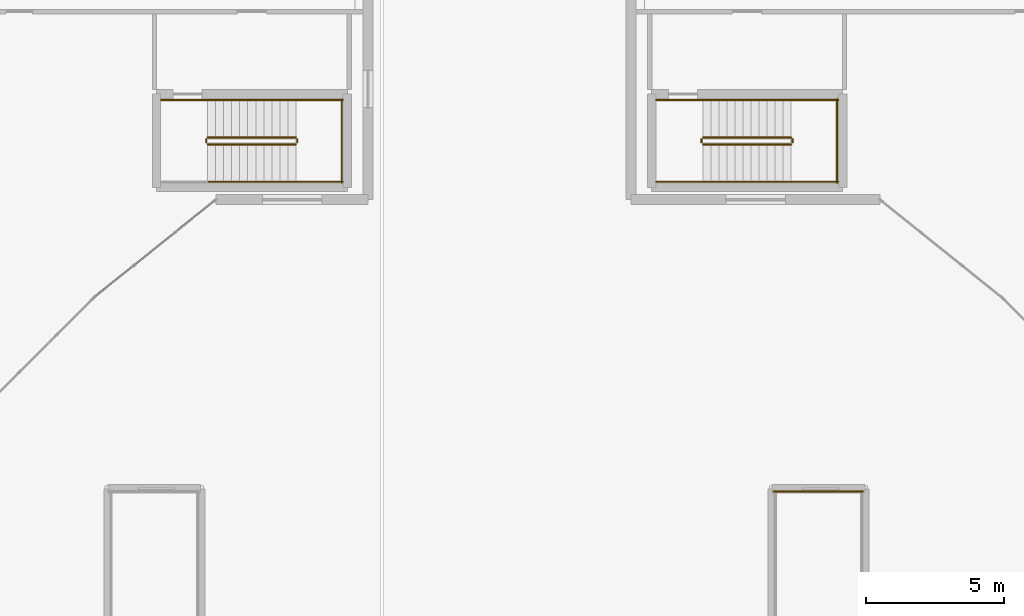
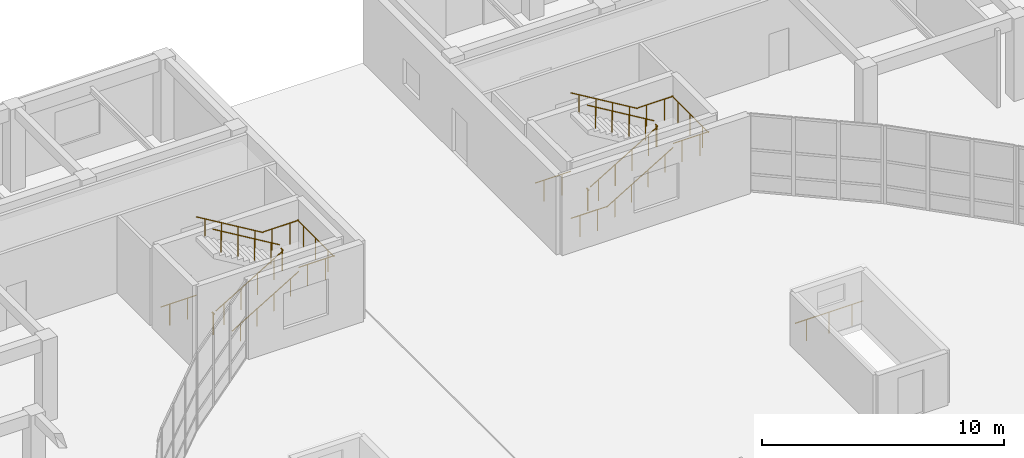
# One storey, part 111 of 114: 22 railings.
"""IFC4 building model written with IfcOpenShell, lengths in metres."""

from ifc_helpers import new_model, si_unit, direction, frame, origin, origin_2d, place, context, subcontext, project, spatial, circle, extrude, material, type_object, element, save


model = new_model("IFC4")

# Units and contexts
model_context = context("Model", 3, precision=1e-05, world=origin(), true_north=direction((0.0, 1.0)))
body_context = subcontext(model_context, "Body", "Model", "MODEL_VIEW")
ifc_project = project(units=[si_unit("LENGTHUNIT", "METRE"), si_unit("AREAUNIT", "SQUARE_METRE"), si_unit("VOLUMEUNIT", "CUBIC_METRE"), si_unit("PLANEANGLEUNIT", "RADIAN"), si_unit("MASSUNIT", "GRAM", prefix="KILO")], contexts=[model_context])

# Site, building, storey
site_placement = place(None, origin())
site = spatial("IfcSite", under=ifc_project, at=site_placement, CompositionType="ELEMENT")
building_placement = place(site_placement, origin())
building = spatial("IfcBuilding", under=site, at=building_placement, Name="Keldmere Railside Commons", CompositionType="ELEMENT")
storey_placement = place(building_placement, origin())
storey = spatial("IfcBuildingStorey", under=building, at=storey_placement, Name="L00", CompositionType="ELEMENT", Elevation=0.0)

# Railings
ifc_material = material(Name="Steel F-24 (S235)", Category="steel")
railing_type_1 = type_object("IfcRailingType", Name="Stair Well Steel Guardrail 1100", PredefinedType="BALUSTRADE", material=ifc_material)
railing_1_placement = place(storey_placement, frame((131.699951171875, 102.0, 0.17333984375)))
element("IfcRailing", 1, at=railing_1_placement, inside=storey, type_object=railing_type_1, Name="L00 ST-B2 stair guard 1", PredefinedType="BALUSTRADE", context=body_context, shape_type="SweptSolid", body=[
    extrude(circle(Radius=0.02392578125, at=origin_2d()), frame((0.0, 0.0, 1.076171875), z_axis=(0.858349611844, 0.0, 0.513065243265), x_axis=(0.0, 1.0, 0.0)), (0.0, 0.0, 1.0), 3.71630859375),
    extrude(circle(Radius=0.02099609375, at=origin_2d()), frame((0.398681640625, 0.0, 0.23828125)), (0.0, 0.0, 1.0), 1.048095703125),
    extrude(circle(Radius=0.02099609375, at=origin_2d()), frame((1.1962890625, 0.0, 0.715087890625)), (0.0, 0.0, 1.0), 1.048095703125),
    extrude(circle(Radius=0.02099609375, at=origin_2d()), frame((1.99365234375, 0.0, 1.191650390625)), (0.0, 0.0, 1.0), 1.048095703125),
    extrude(circle(Radius=0.02099609375, at=origin_2d()), frame((2.791259765625, 0.0, 1.66845703125)), (0.0, 0.0, 1.0), 1.048095703125),
])
railing_2_placement = place(storey_placement, frame((134.93994140625, 102.050048828125, 2.080078125)))
element("IfcRailing", 2, at=railing_2_placement, inside=storey, type_object=railing_type_1, Name="L00 ST-B2 stair guard 2", PredefinedType="BALUSTRADE", context=body_context, shape_type="SweptSolid", body=[
    extrude(circle(Radius=0.02392578125, at=origin_2d()), frame((0.0, 0.0, 1.076171875), z_axis=(0.0, 1.0, 0.0), x_axis=(-1.0, 0.0, 0.0)), (0.0, 0.0, 1.0), 0.14990234375),
    extrude(circle(Radius=0.02099609375, at=origin_2d()), frame((0.0, 0.074951171875, 0.0)), (0.0, 0.0, 1.0), 1.048095703125),
])
for number, where, name in (
    (3, (134.889892578125, 100.64990234375, 2.080078125), "L00 ST-B2 stair guard 3"),
    (4, (134.889892578125, 103.60009765625, 2.080078125), "L00 ST-B2 stair guard 4"),
):
    element("IfcRailing", number, at=place(storey_placement, frame(where)), inside=storey, type_object=railing_type_1, Name=name, PredefinedType="BALUSTRADE", context=body_context, shape_type="SweptSolid", body=[
        extrude(circle(Radius=0.02392578125, at=origin_2d()), frame((0.0, 0.0, 1.076171875), z_axis=(1.0, 0.0, 0.0), x_axis=(0.0, 1.0, 0.0)), (0.0, 0.0, 1.0), 1.710205078125),
        extrude(circle(Radius=0.02099609375, at=origin_2d()), frame((0.427490234375, 0.0, 0.0)), (0.0, 0.0, 1.0), 1.048095703125),
        extrude(circle(Radius=0.02099609375, at=origin_2d()), frame((1.28271484375, 0.0, 0.0)), (0.0, 0.0, 1.0), 1.048095703125),
    ])
railing_3_placement = place(storey_placement, frame((136.550048828125, 100.60009765625, 2.080078125)))
element("IfcRailing", 5, at=railing_3_placement, inside=storey, type_object=railing_type_1, Name="L00 ST-B2 stair guard 5", PredefinedType="BALUSTRADE", context=body_context, shape_type="SweptSolid", body=[
    extrude(circle(Radius=0.02392578125, at=origin_2d()), frame((0.0, 0.0, 1.076171875), z_axis=(0.0, 1.0, 0.0), x_axis=(-1.0, 0.0, 0.0)), (0.0, 0.0, 1.0), 3.0498046875),
    extrude(circle(Radius=0.02099609375, at=origin_2d()), frame((0.0, 0.50830078125, 0.0)), (0.0, 0.0, 1.0), 1.048095703125),
    extrude(circle(Radius=0.02099609375, at=origin_2d()), frame((0.0, 1.52490234375, 0.0)), (0.0, 0.0, 1.0), 1.048095703125),
    extrude(circle(Radius=0.02099609375, at=origin_2d()), frame((0.0, 2.54150390625, 0.0)), (0.0, 0.0, 1.0), 1.048095703125),
])
railing_4_placement = place(storey_placement, frame((134.889892578125, 102.25, 2.25341796875)))
element("IfcRailing", 6, at=railing_4_placement, inside=storey, type_object=railing_type_1, Name="L00 ST-B2 stair guard 6", PredefinedType="BALUSTRADE", context=body_context, shape_type="SweptSolid", body=[
    extrude(circle(Radius=0.02392578125, at=origin_2d()), frame((0.0, 0.0, 1.076171875), z_axis=(-0.858378542117, 0.0, 0.513016840302), x_axis=(0.0, -1.0, 0.0)), (0.0, 0.0, 1.0), 3.71630859375),
    extrude(circle(Radius=0.02099609375, at=origin_2d()), frame((-0.398681640625, 0.0, 0.23828125)), (0.0, 0.0, 1.0), 1.048095703125),
    extrude(circle(Radius=0.02099609375, at=origin_2d()), frame((-1.1962890625, 0.0, 0.71484375)), (0.0, 0.0, 1.0), 1.048095703125),
    extrude(circle(Radius=0.02099609375, at=origin_2d()), frame((-1.99365234375, 0.0, 1.191650390625)), (0.0, 0.0, 1.0), 1.048095703125),
    extrude(circle(Radius=0.02099609375, at=origin_2d()), frame((-2.791259765625, 0.0, 1.668212890625)), (0.0, 0.0, 1.0), 1.048095703125),
])
railing_5_placement = place(storey_placement, frame((131.64990234375, 102.050048828125, 0.0)))
element("IfcRailing", 7, at=railing_5_placement, inside=storey, type_object=railing_type_1, Name="L00 ST-B2 stair guard 7", PredefinedType="BALUSTRADE", context=body_context, shape_type="SweptSolid", body=[
    extrude(circle(Radius=0.02392578125, at=origin_2d()), frame((0.0, 0.0, 1.076171875), z_axis=(0.0, 1.0, 0.0), x_axis=(-1.0, 0.0, 0.0)), (0.0, 0.0, 1.0), 0.14990234375),
    extrude(circle(Radius=0.02099609375, at=origin_2d()), frame((0.0, 0.074951171875, 0.0)), (0.0, 0.0, 1.0), 1.048095703125),
])
railing_6_placement = place(storey_placement, frame((130.0, 103.60009765625, 0.0)))
element("IfcRailing", 8, at=railing_6_placement, inside=storey, type_object=railing_type_1, Name="L00 ST-B2 stair guard 9", PredefinedType="BALUSTRADE", context=body_context, shape_type="SweptSolid", body=[
    extrude(circle(Radius=0.02392578125, at=origin_2d()), frame((0.0, 0.0, 1.076171875), z_axis=(1.0, 0.0, 0.0), x_axis=(0.0, 1.0, 0.0)), (0.0, 0.0, 1.0), 1.699951171875),
    extrude(circle(Radius=0.02099609375, at=origin_2d()), frame((0.425048828125, 0.0, 0.0)), (0.0, 0.0, 1.0), 1.048095703125),
    extrude(circle(Radius=0.02099609375, at=origin_2d()), frame((1.27490234375, 0.0, 0.0)), (0.0, 0.0, 1.0), 1.048095703125),
])
railing_7_placement = place(storey_placement, frame((149.60009765625, 102.0, 0.17333984375)))
element("IfcRailing", 9, at=railing_7_placement, inside=storey, type_object=railing_type_1, Name="L00 ST-A2 stair guard 1", PredefinedType="BALUSTRADE", context=body_context, shape_type="SweptSolid", body=[
    extrude(circle(Radius=0.02392578125, at=origin_2d()), frame((0.0, 0.0, 1.076171875), z_axis=(0.858349611844, 0.0, 0.513065243265), x_axis=(0.0, 1.0, 0.0)), (0.0, 0.0, 1.0), 3.71630859375),
    extrude(circle(Radius=0.02099609375, at=origin_2d()), frame((0.398681640625, 0.0, 0.23828125)), (0.0, 0.0, 1.0), 1.048095703125),
    extrude(circle(Radius=0.02099609375, at=origin_2d()), frame((1.1962890625, 0.0, 0.715087890625)), (0.0, 0.0, 1.0), 1.048095703125),
    extrude(circle(Radius=0.02099609375, at=origin_2d()), frame((1.99365234375, 0.0, 1.191650390625)), (0.0, 0.0, 1.0), 1.048095703125),
    extrude(circle(Radius=0.02099609375, at=origin_2d()), frame((2.791259765625, 0.0, 1.66845703125)), (0.0, 0.0, 1.0), 1.048095703125),
])
railing_8_placement = place(storey_placement, frame((152.840087890625, 102.050048828125, 2.080078125)))
element("IfcRailing", 10, at=railing_8_placement, inside=storey, type_object=railing_type_1, Name="L00 ST-A2 stair guard 2", PredefinedType="BALUSTRADE", context=body_context, shape_type="SweptSolid", body=[
    extrude(circle(Radius=0.02392578125, at=origin_2d()), frame((0.0, 0.0, 1.076171875), z_axis=(0.0, 1.0, 0.0), x_axis=(-1.0, 0.0, 0.0)), (0.0, 0.0, 1.0), 0.14990234375),
    extrude(circle(Radius=0.02099609375, at=origin_2d()), frame((0.0, 0.074951171875, 0.0)), (0.0, 0.0, 1.0), 1.048095703125),
])
for number, where, name in (
    (11, (152.7900390625, 100.64990234375, 2.080078125), "L00 ST-A2 stair guard 3"),
    (12, (152.7900390625, 103.60009765625, 2.080078125), "L00 ST-A2 stair guard 4"),
):
    element("IfcRailing", number, at=place(storey_placement, frame(where)), inside=storey, type_object=railing_type_1, Name=name, PredefinedType="BALUSTRADE", context=body_context, shape_type="SweptSolid", body=[
        extrude(circle(Radius=0.02392578125, at=origin_2d()), frame((0.0, 0.0, 1.076171875), z_axis=(1.0, 0.0, 0.0), x_axis=(0.0, 1.0, 0.0)), (0.0, 0.0, 1.0), 1.7099609375),
        extrude(circle(Radius=0.02099609375, at=origin_2d()), frame((0.427490234375, 0.0, 0.0)), (0.0, 0.0, 1.0), 1.048095703125),
        extrude(circle(Radius=0.02099609375, at=origin_2d()), frame((1.282470703125, 0.0, 0.0)), (0.0, 0.0, 1.0), 1.048095703125),
    ])
railing_9_placement = place(storey_placement, frame((154.449951171875, 100.60009765625, 2.080078125)))
element("IfcRailing", 13, at=railing_9_placement, inside=storey, type_object=railing_type_1, Name="L00 ST-A2 stair guard 5", PredefinedType="BALUSTRADE", context=body_context, shape_type="SweptSolid", body=[
    extrude(circle(Radius=0.02392578125, at=origin_2d()), frame((0.0, 0.0, 1.076171875), z_axis=(0.0, 1.0, 0.0), x_axis=(-1.0, 0.0, 0.0)), (0.0, 0.0, 1.0), 3.0498046875),
    extrude(circle(Radius=0.02099609375, at=origin_2d()), frame((0.0, 0.50830078125, 0.0)), (0.0, 0.0, 1.0), 1.048095703125),
    extrude(circle(Radius=0.02099609375, at=origin_2d()), frame((0.0, 1.52490234375, 0.0)), (0.0, 0.0, 1.0), 1.048095703125),
    extrude(circle(Radius=0.02099609375, at=origin_2d()), frame((0.0, 2.54150390625, 0.0)), (0.0, 0.0, 1.0), 1.048095703125),
])
railing_10_placement = place(storey_placement, frame((152.7900390625, 102.25, 2.25341796875)))
element("IfcRailing", 14, at=railing_10_placement, inside=storey, type_object=railing_type_1, Name="L00 ST-A2 stair guard 6", PredefinedType="BALUSTRADE", context=body_context, shape_type="SweptSolid", body=[
    extrude(circle(Radius=0.02392578125, at=origin_2d()), frame((0.0, 0.0, 1.076171875), z_axis=(-0.858378542117, 0.0, 0.513016840302), x_axis=(0.0, -1.0, 0.0)), (0.0, 0.0, 1.0), 3.71630859375),
    extrude(circle(Radius=0.02099609375, at=origin_2d()), frame((-0.398681640625, 0.0, 0.23828125)), (0.0, 0.0, 1.0), 1.048095703125),
    extrude(circle(Radius=0.02099609375, at=origin_2d()), frame((-1.1962890625, 0.0, 0.71484375)), (0.0, 0.0, 1.0), 1.048095703125),
    extrude(circle(Radius=0.02099609375, at=origin_2d()), frame((-1.99365234375, 0.0, 1.191650390625)), (0.0, 0.0, 1.0), 1.048095703125),
    extrude(circle(Radius=0.02099609375, at=origin_2d()), frame((-2.791259765625, 0.0, 1.668212890625)), (0.0, 0.0, 1.0), 1.048095703125),
])
railing_11_placement = place(storey_placement, frame((149.550048828125, 102.050048828125, 0.0)))
element("IfcRailing", 15, at=railing_11_placement, inside=storey, type_object=railing_type_1, Name="L00 ST-A2 stair guard 7", PredefinedType="BALUSTRADE", context=body_context, shape_type="SweptSolid", body=[
    extrude(circle(Radius=0.02392578125, at=origin_2d()), frame((0.0, 0.0, 1.076171875), z_axis=(0.0, 1.0, 0.0), x_axis=(-1.0, 0.0, 0.0)), (0.0, 0.0, 1.0), 0.14990234375),
    extrude(circle(Radius=0.02099609375, at=origin_2d()), frame((0.0, 0.074951171875, 0.0)), (0.0, 0.0, 1.0), 1.048095703125),
])
for number, where, name in (
    (16, (147.89990234375, 100.64990234375, 0.0), "L00 ST-A2 stair guard 8"),
    (17, (147.89990234375, 103.60009765625, 0.0), "L00 ST-A2 stair guard 9"),
):
    element("IfcRailing", number, at=place(storey_placement, frame(where)), inside=storey, type_object=railing_type_1, Name=name, PredefinedType="BALUSTRADE", context=body_context, shape_type="SweptSolid", body=[
        extrude(circle(Radius=0.02392578125, at=origin_2d()), frame((0.0, 0.0, 1.076171875), z_axis=(1.0, 0.0, 0.0), x_axis=(0.0, 1.0, 0.0)), (0.0, 0.0, 1.0), 1.7001953125),
        extrude(circle(Radius=0.02099609375, at=origin_2d()), frame((0.425048828125, 0.0, 0.0)), (0.0, 0.0, 1.0), 1.048095703125),
        extrude(circle(Radius=0.02099609375, at=origin_2d()), frame((1.275146484375, 0.0, 0.0)), (0.0, 0.0, 1.0), 1.048095703125),
    ])
railing_12_placement = place(storey_placement, frame((155.39990234375, 89.449951171875, 0.0)))
element("IfcRailing", 18, at=railing_12_placement, inside=storey, type_object=railing_type_1, Name="L00 ST-B6 top well guard 4", PredefinedType="BALUSTRADE", context=body_context, shape_type="SweptSolid", body=[
    extrude(circle(Radius=0.02392578125, at=origin_2d()), frame((0.0, 0.0, 1.076171875), z_axis=(-1.0, 0.0, 0.0), x_axis=(0.0, -1.0, 0.0)), (0.0, 0.0, 1.0), 3.25),
    extrude(circle(Radius=0.02099609375, at=origin_2d()), frame((-0.541748046875, 0.0, 0.0)), (0.0, 0.0, 1.0), 1.048095703125),
    extrude(circle(Radius=0.02099609375, at=origin_2d()), frame((-1.625, 0.0, 0.0)), (0.0, 0.0, 1.0), 1.048095703125),
    extrude(circle(Radius=0.02099609375, at=origin_2d()), frame((-2.708251953125, 0.0, 0.0)), (0.0, 0.0, 1.0), 1.048095703125),
])
railing_type_2 = type_object("IfcRailingType", Name="Wall-Mounted Tubular Steel Handrail 900", PredefinedType="HANDRAIL", material=ifc_material)
railing_13_placement = place(storey_placement, frame((131.699951171875, 100.64990234375, 0.17333984375)))
element("IfcRailing", 19, at=railing_13_placement, inside=storey, type_object=railing_type_2, Name="L00 ST-B2 stair handrail 1", PredefinedType="HANDRAIL", context=body_context, shape_type="SweptSolid", body=[
    extrude(circle(Radius=0.02392578125, at=origin_2d()), frame((0.0, 0.0, 0.8759765625), z_axis=(0.858349611844, 0.0, 0.513065243265), x_axis=(0.0, 1.0, 0.0)), (0.0, 0.0, 1.0), 3.71630859375),
    extrude(circle(Radius=0.02099609375, at=origin_2d()), frame((0.398681640625, 0.0, 0.23828125)), (0.0, 0.0, 1.0), 0.847900390625),
    extrude(circle(Radius=0.02099609375, at=origin_2d()), frame((1.1962890625, 0.0, 0.715087890625)), (0.0, 0.0, 1.0), 0.847900390625),
    extrude(circle(Radius=0.02099609375, at=origin_2d()), frame((1.99365234375, 0.0, 1.191650390625)), (0.0, 0.0, 1.0), 0.847900390625),
    extrude(circle(Radius=0.02099609375, at=origin_2d()), frame((2.791259765625, 0.0, 1.66845703125)), (0.0, 0.0, 1.0), 0.847900390625),
])
railing_14_placement = place(storey_placement, frame((134.889892578125, 103.60009765625, 2.25341796875)))
element("IfcRailing", 20, at=railing_14_placement, inside=storey, type_object=railing_type_2, Name="L00 ST-B2 stair handrail 2", PredefinedType="HANDRAIL", context=body_context, shape_type="SweptSolid", body=[
    extrude(circle(Radius=0.02392578125, at=origin_2d()), frame((0.0, 0.0, 0.8759765625), z_axis=(-0.858378542117, 0.0, 0.513016840302), x_axis=(0.0, -1.0, 0.0)), (0.0, 0.0, 1.0), 3.71630859375),
    extrude(circle(Radius=0.02099609375, at=origin_2d()), frame((-0.398681640625, 0.0, 0.23828125)), (0.0, 0.0, 1.0), 0.847900390625),
    extrude(circle(Radius=0.02099609375, at=origin_2d()), frame((-1.1962890625, 0.0, 0.71484375)), (0.0, 0.0, 1.0), 0.847900390625),
    extrude(circle(Radius=0.02099609375, at=origin_2d()), frame((-1.99365234375, 0.0, 1.191650390625)), (0.0, 0.0, 1.0), 0.847900390625),
    extrude(circle(Radius=0.02099609375, at=origin_2d()), frame((-2.791259765625, 0.0, 1.668212890625)), (0.0, 0.0, 1.0), 0.847900390625),
])
railing_15_placement = place(storey_placement, frame((149.60009765625, 100.64990234375, 0.17333984375)))
element("IfcRailing", 21, at=railing_15_placement, inside=storey, type_object=railing_type_2, Name="L00 ST-A2 stair handrail 1", PredefinedType="HANDRAIL", context=body_context, shape_type="SweptSolid", body=[
    extrude(circle(Radius=0.02392578125, at=origin_2d()), frame((0.0, 0.0, 0.8759765625), z_axis=(0.858349611844, 0.0, 0.513065243265), x_axis=(0.0, 1.0, 0.0)), (0.0, 0.0, 1.0), 3.71630859375),
    extrude(circle(Radius=0.02099609375, at=origin_2d()), frame((0.398681640625, 0.0, 0.23828125)), (0.0, 0.0, 1.0), 0.847900390625),
    extrude(circle(Radius=0.02099609375, at=origin_2d()), frame((1.1962890625, 0.0, 0.715087890625)), (0.0, 0.0, 1.0), 0.847900390625),
    extrude(circle(Radius=0.02099609375, at=origin_2d()), frame((1.99365234375, 0.0, 1.191650390625)), (0.0, 0.0, 1.0), 0.847900390625),
    extrude(circle(Radius=0.02099609375, at=origin_2d()), frame((2.791259765625, 0.0, 1.66845703125)), (0.0, 0.0, 1.0), 0.847900390625),
])
railing_16_placement = place(storey_placement, frame((152.7900390625, 103.60009765625, 2.25341796875)))
element("IfcRailing", 22, at=railing_16_placement, inside=storey, type_object=railing_type_2, Name="L00 ST-A2 stair handrail 2", PredefinedType="HANDRAIL", context=body_context, shape_type="SweptSolid", body=[
    extrude(circle(Radius=0.02392578125, at=origin_2d()), frame((0.0, 0.0, 0.8759765625), z_axis=(-0.858378542117, 0.0, 0.513016840302), x_axis=(0.0, -1.0, 0.0)), (0.0, 0.0, 1.0), 3.71630859375),
    extrude(circle(Radius=0.02099609375, at=origin_2d()), frame((-0.398681640625, 0.0, 0.23828125)), (0.0, 0.0, 1.0), 0.847900390625),
    extrude(circle(Radius=0.02099609375, at=origin_2d()), frame((-1.1962890625, 0.0, 0.71484375)), (0.0, 0.0, 1.0), 0.847900390625),
    extrude(circle(Radius=0.02099609375, at=origin_2d()), frame((-1.99365234375, 0.0, 1.191650390625)), (0.0, 0.0, 1.0), 0.847900390625),
    extrude(circle(Radius=0.02099609375, at=origin_2d()), frame((-2.791259765625, 0.0, 1.668212890625)), (0.0, 0.0, 1.0), 0.847900390625),
])

save(model, "model.ifc")
